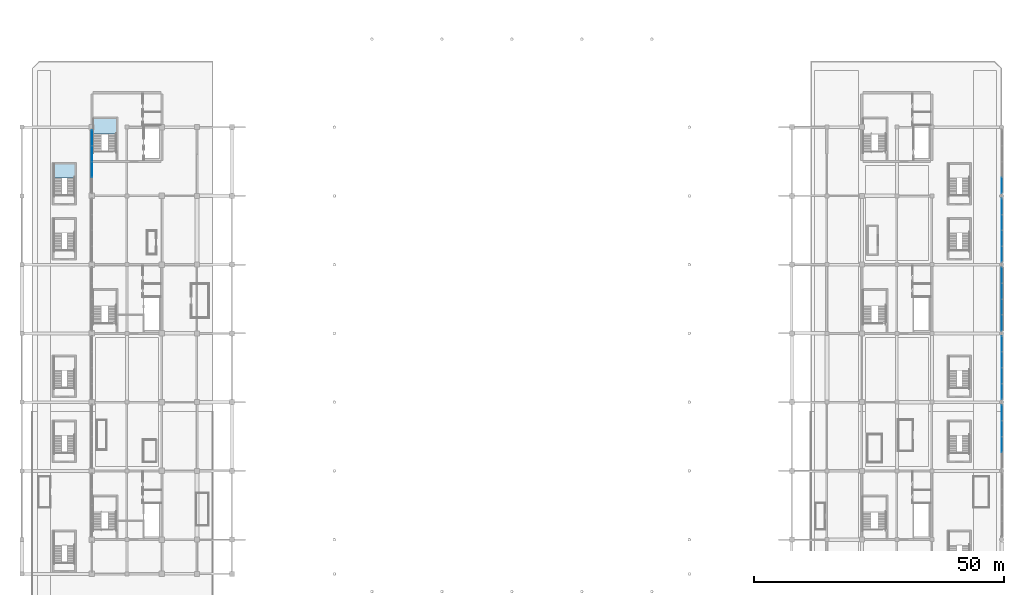
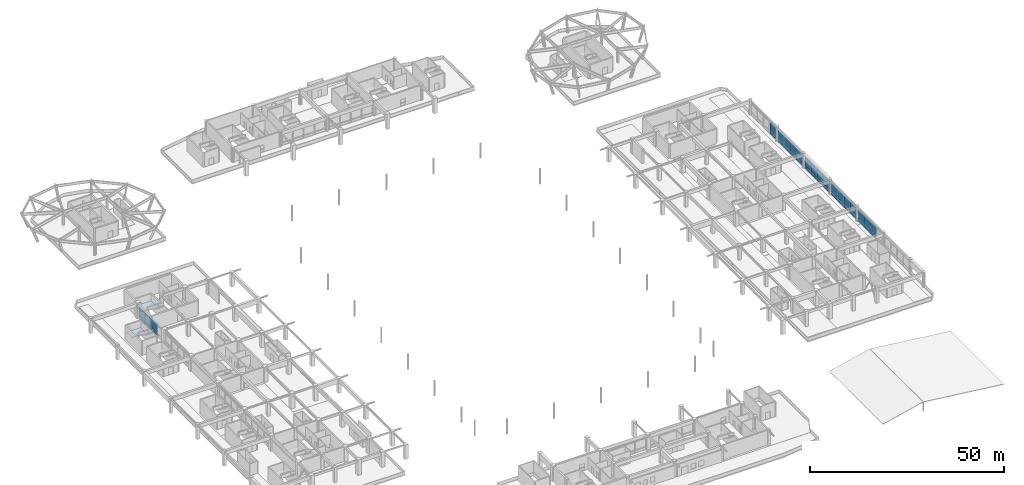
# One storey, part 51 of 91: 38 plates, 2 slabs, 8 elements without a shape of their own.
"""IFC4 building model written with IfcOpenShell, lengths in metres."""

from ifc_helpers import new_model, si_unit, direction, frame, origin, origin_2d, place, context, subcontext, project, spatial, polyline, rectangle, outline, extrude, material, layer, layer_set, type_object, element, aggregate, save


model = new_model("IFC4")

# Units and contexts
model_context = context("Model", 3, precision=1e-05, world=origin(), true_north=direction((0.0, 1.0)))
body_context = subcontext(model_context, "Body", "Model", "MODEL_VIEW")
ifc_project = project(units=[si_unit("LENGTHUNIT", "METRE"), si_unit("AREAUNIT", "SQUARE_METRE"), si_unit("VOLUMEUNIT", "CUBIC_METRE"), si_unit("PLANEANGLEUNIT", "RADIAN"), si_unit("MASSUNIT", "GRAM", prefix="KILO")], contexts=[model_context])

# Site, building, storey
site_placement = place(None, origin())
site = spatial("IfcSite", under=ifc_project, at=site_placement, CompositionType="ELEMENT")
building_placement = place(site_placement, origin())
building = spatial("IfcBuilding", under=site, at=building_placement, Name="Linyun Crest Stadium", CompositionType="ELEMENT")
storey_placement = place(building_placement, frame((0.0, 0.0, 11.39990234375)))
storey = spatial("IfcBuildingStorey", under=building, at=storey_placement, Name="L03", CompositionType="ELEMENT", Elevation=11.39990234375)

# Curtain wall, plates
ifc_material_1 = material(Name="Verdigris steel and low-E curtain wall assembly", Category="steel")
curtain_wall_type = type_object("IfcCurtainWallType", Name="MCW02", PredefinedType="NOTDEFINED", material=ifc_material_1)
curtain_wall_1_placement = place(storey_placement, origin())
curtain_wall_1 = element("IfcCurtainWall", 1, at=curtain_wall_1_placement, inside=storey, type_object=curtain_wall_type, Name="CWR-088", PredefinedType="NOTDEFINED")
ifc_material_2 = material(Name="Tempered solar-control low-E glass", Category="glass")
ifc_layer_1 = layer(ifc_material_2, 0.033935546875)
ifc_layer_set_1 = layer_set([ifc_layer_1], Name="Tempered solar-control low-E glass")
plate_type_1 = type_object("IfcPlateType", Name="GP03", PredefinedType="CURTAIN_PANEL", material=ifc_layer_set_1)
plate_1_placement = place(storey_placement, frame((98.0, -20.0810546875, 0.97509765625), z_axis=(0.0, 0.0, 1.0), x_axis=(0.0, 1.0, 0.0)))
plate_1 = element("IfcPlate", 2, at=plate_1_placement, type_object=plate_type_1, Name="CWR-088 panel 2.2", PredefinedType="CURTAIN_PANEL", context=body_context, shape_type="SweptSolid", body=[
    extrude(rectangle(XDim=3.112548828125, YDim=0.033935546875, at=origin_2d()), origin(), (0.0, 0.0, 1.0), 2.64990234375),
])
plate_2_placement = place(storey_placement, frame((98.0, -16.9189453125, 0.97509765625), z_axis=(0.0, 0.0, 1.0), x_axis=(0.0, 1.0, 0.0)))
plate_2 = element("IfcPlate", 3, at=plate_2_placement, type_object=plate_type_1, Name="CWR-088 panel 3.2", PredefinedType="CURTAIN_PANEL", context=body_context, shape_type="SweptSolid", body=[
    extrude(rectangle(XDim=3.112548828125, YDim=0.033935546875, at=origin_2d()), origin(), (0.0, 0.0, 1.0), 2.64990234375),
])
plate_3_placement = place(storey_placement, frame((98.0, -13.756103515625, 0.97509765625), z_axis=(0.0, 0.0, 1.0), x_axis=(0.0, 1.0, 0.0)))
plate_3 = element("IfcPlate", 4, at=plate_3_placement, type_object=plate_type_1, Name="CWR-088 panel 4.2", PredefinedType="CURTAIN_PANEL", context=body_context, shape_type="SweptSolid", body=[
    extrude(rectangle(XDim=3.112548828125, YDim=0.033935546875, at=origin_2d()), origin(), (0.0, 0.0, 1.0), 2.64990234375),
])

curtain_wall_2_placement = place(storey_placement, origin())
curtain_wall_2 = element("IfcCurtainWall", 5, at=curtain_wall_2_placement, inside=storey, type_object=curtain_wall_type, Name="CWR-097", PredefinedType="NOTDEFINED")
plate_4_placement = place(storey_placement, frame((98.0, -9.493896484375, 0.97509765625), z_axis=(0.0, 0.0, 1.0), x_axis=(0.0, 1.0, 0.0)))
plate_4 = element("IfcPlate", 6, at=plate_4_placement, type_object=plate_type_1, Name="CWR-097 panel 1.2", PredefinedType="CURTAIN_PANEL", context=body_context, shape_type="SweptSolid", body=[
    extrude(rectangle(XDim=3.112548828125, YDim=0.033935546875, at=origin_2d()), origin(), (0.0, 0.0, 1.0), 2.64990234375),
])
plate_5_placement = place(storey_placement, frame((98.0, -6.3310546875, 0.97509765625), z_axis=(0.0, 0.0, 1.0), x_axis=(0.0, 1.0, 0.0)))
plate_5 = element("IfcPlate", 7, at=plate_5_placement, type_object=plate_type_1, Name="CWR-097 panel 2.2", PredefinedType="CURTAIN_PANEL", context=body_context, shape_type="SweptSolid", body=[
    extrude(rectangle(XDim=3.112548828125, YDim=0.033935546875, at=origin_2d()), origin(), (0.0, 0.0, 1.0), 2.64990234375),
])
plate_6_placement = place(storey_placement, frame((98.0, -3.1689453125, 0.97509765625), z_axis=(0.0, 0.0, 1.0), x_axis=(0.0, 1.0, 0.0)))
plate_6 = element("IfcPlate", 8, at=plate_6_placement, type_object=plate_type_1, Name="CWR-097 panel 3.2", PredefinedType="CURTAIN_PANEL", context=body_context, shape_type="SweptSolid", body=[
    extrude(rectangle(XDim=3.112548828125, YDim=0.033935546875, at=origin_2d()), origin(), (0.0, 0.0, 1.0), 2.64990234375),
])
plate_7_placement = place(storey_placement, frame((98.0, -0.006103515625, 0.97509765625), z_axis=(0.0, 0.0, 1.0), x_axis=(0.0, 1.0, 0.0)))
plate_7 = element("IfcPlate", 9, at=plate_7_placement, type_object=plate_type_1, Name="CWR-097 panel 4.2", PredefinedType="CURTAIN_PANEL", context=body_context, shape_type="SweptSolid", body=[
    extrude(rectangle(XDim=3.112548828125, YDim=0.033935546875, at=origin_2d()), origin(), (0.0, 0.0, 1.0), 2.64990234375),
])

curtain_wall_3_placement = place(storey_placement, origin())
curtain_wall_3 = element("IfcCurtainWall", 10, at=curtain_wall_3_placement, inside=storey, type_object=curtain_wall_type, Name="CWR-106", PredefinedType="NOTDEFINED")
plate_8_placement = place(storey_placement, frame((98.0, 4.256103515625, 0.97509765625), z_axis=(0.0, 0.0, 1.0), x_axis=(0.0, 1.0, 0.0)))
plate_8 = element("IfcPlate", 11, at=plate_8_placement, type_object=plate_type_1, Name="CWR-106 panel 1.2", PredefinedType="CURTAIN_PANEL", context=body_context, shape_type="SweptSolid", body=[
    extrude(rectangle(XDim=3.112548828125, YDim=0.033935546875, at=origin_2d()), origin(), (0.0, 0.0, 1.0), 2.64990234375),
])
plate_9_placement = place(storey_placement, frame((98.0, 7.4189453125, 0.97509765625), z_axis=(0.0, 0.0, 1.0), x_axis=(0.0, 1.0, 0.0)))
plate_9 = element("IfcPlate", 12, at=plate_9_placement, type_object=plate_type_1, Name="CWR-106 panel 2.2", PredefinedType="CURTAIN_PANEL", context=body_context, shape_type="SweptSolid", body=[
    extrude(rectangle(XDim=3.112548828125, YDim=0.033935546875, at=origin_2d()), origin(), (0.0, 0.0, 1.0), 2.64990234375),
])
plate_10_placement = place(storey_placement, frame((98.0, 10.5810546875, 0.97509765625), z_axis=(0.0, 0.0, 1.0), x_axis=(0.0, 1.0, 0.0)))
plate_10 = element("IfcPlate", 13, at=plate_10_placement, type_object=plate_type_1, Name="CWR-106 panel 3.2", PredefinedType="CURTAIN_PANEL", context=body_context, shape_type="SweptSolid", body=[
    extrude(rectangle(XDim=3.112548828125, YDim=0.033935546875, at=origin_2d()), origin(), (0.0, 0.0, 1.0), 2.64990234375),
])
plate_11_placement = place(storey_placement, frame((98.0, 13.743896484375, 0.97509765625), z_axis=(0.0, 0.0, 1.0), x_axis=(0.0, 1.0, 0.0)))
plate_11 = element("IfcPlate", 14, at=plate_11_placement, type_object=plate_type_1, Name="CWR-106 panel 4.2", PredefinedType="CURTAIN_PANEL", context=body_context, shape_type="SweptSolid", body=[
    extrude(rectangle(XDim=3.112548828125, YDim=0.033935546875, at=origin_2d()), origin(), (0.0, 0.0, 1.0), 2.64990234375),
])

curtain_wall_4_placement = place(storey_placement, origin())
curtain_wall_4 = element("IfcCurtainWall", 15, at=curtain_wall_4_placement, inside=storey, type_object=curtain_wall_type, Name="CWR-115", PredefinedType="NOTDEFINED")
plate_12_placement = place(storey_placement, frame((98.0, 18.006103515625, 0.97509765625), z_axis=(0.0, 0.0, 1.0), x_axis=(0.0, 1.0, 0.0)))
plate_12 = element("IfcPlate", 16, at=plate_12_placement, type_object=plate_type_1, Name="CWR-115 panel 1.2", PredefinedType="CURTAIN_PANEL", context=body_context, shape_type="SweptSolid", body=[
    extrude(rectangle(XDim=3.112548828125, YDim=0.033935546875, at=origin_2d()), origin(), (0.0, 0.0, 1.0), 2.64990234375),
])
plate_13_placement = place(storey_placement, frame((98.0, 21.1689453125, 0.97509765625), z_axis=(0.0, 0.0, 1.0), x_axis=(0.0, 1.0, 0.0)))
plate_13 = element("IfcPlate", 17, at=plate_13_placement, type_object=plate_type_1, Name="CWR-115 panel 2.2", PredefinedType="CURTAIN_PANEL", context=body_context, shape_type="SweptSolid", body=[
    extrude(rectangle(XDim=3.112548828125, YDim=0.033935546875, at=origin_2d()), origin(), (0.0, 0.0, 1.0), 2.64990234375),
])
plate_14_placement = place(storey_placement, frame((98.0, 24.3310546875, 0.97509765625), z_axis=(0.0, 0.0, 1.0), x_axis=(0.0, 1.0, 0.0)))
plate_14 = element("IfcPlate", 18, at=plate_14_placement, type_object=plate_type_1, Name="CWR-115 panel 3.2", PredefinedType="CURTAIN_PANEL", context=body_context, shape_type="SweptSolid", body=[
    extrude(rectangle(XDim=3.112548828125, YDim=0.033935546875, at=origin_2d()), origin(), (0.0, 0.0, 1.0), 2.64990234375),
])
plate_15_placement = place(storey_placement, frame((98.0, 27.493896484375, 0.97509765625), z_axis=(0.0, 0.0, 1.0), x_axis=(0.0, 1.0, 0.0)))
plate_15 = element("IfcPlate", 19, at=plate_15_placement, type_object=plate_type_1, Name="CWR-115 panel 4.2", PredefinedType="CURTAIN_PANEL", context=body_context, shape_type="SweptSolid", body=[
    extrude(rectangle(XDim=3.112548828125, YDim=0.033935546875, at=origin_2d()), origin(), (0.0, 0.0, 1.0), 2.64990234375),
])

curtain_wall_5_placement = place(storey_placement, origin())
curtain_wall_5 = element("IfcCurtainWall", 20, at=curtain_wall_5_placement, inside=storey, type_object=curtain_wall_type, Name="CWR-119", PredefinedType="NOTDEFINED")
plate_16_placement = place(storey_placement, frame((-84.0, 34.9189453125, 0.97509765625), z_axis=(0.0, 0.0, 1.0), x_axis=(0.0, 1.0, 0.0)))
plate_16 = element("IfcPlate", 21, at=plate_16_placement, type_object=plate_type_1, Name="CWR-119 panel 2.2", PredefinedType="CURTAIN_PANEL", context=body_context, shape_type="SweptSolid", body=[
    extrude(rectangle(XDim=3.112548828125, YDim=0.033935546875, at=origin_2d()), origin(), (0.0, 0.0, 1.0), 2.64990234375),
])
plate_17_placement = place(storey_placement, frame((-84.0, 38.0810546875, 0.97509765625), z_axis=(0.0, 0.0, 1.0), x_axis=(0.0, 1.0, 0.0)))
plate_17 = element("IfcPlate", 22, at=plate_17_placement, type_object=plate_type_1, Name="CWR-119 panel 3.2", PredefinedType="CURTAIN_PANEL", context=body_context, shape_type="SweptSolid", body=[
    extrude(rectangle(XDim=3.112548828125, YDim=0.033935546875, at=origin_2d()), origin(), (0.0, 0.0, 1.0), 2.64990234375),
])
plate_18_placement = place(storey_placement, frame((-84.0, 41.243896484375, 0.97509765625), z_axis=(0.0, 0.0, 1.0), x_axis=(0.0, 1.0, 0.0)))
plate_18 = element("IfcPlate", 23, at=plate_18_placement, type_object=plate_type_1, Name="CWR-119 panel 4.2", PredefinedType="CURTAIN_PANEL", context=body_context, shape_type="SweptSolid", body=[
    extrude(rectangle(XDim=3.112548828125, YDim=0.033935546875, at=origin_2d()), origin(), (0.0, 0.0, 1.0), 2.64990234375),
])

# Curtain wall, plate
curtain_wall_6_placement = place(storey_placement, origin())
curtain_wall_6 = element("IfcCurtainWall", 24, at=curtain_wall_6_placement, inside=storey, type_object=curtain_wall_type, Name="CWR-124", PredefinedType="NOTDEFINED")
plate_19_placement = place(storey_placement, frame((98.0, 31.756103515625, 0.97509765625), z_axis=(0.0, 0.0, 1.0), x_axis=(0.0, 1.0, 0.0)))
plate_19 = element("IfcPlate", 25, at=plate_19_placement, type_object=plate_type_1, Name="CWR-124 panel 1.2", PredefinedType="CURTAIN_PANEL", context=body_context, shape_type="SweptSolid", body=[
    extrude(rectangle(XDim=3.112548828125, YDim=0.033935546875, at=origin_2d()), origin(), (0.0, 0.0, 1.0), 2.64990234375),
])

# Stair, slab
ifc_material_3 = material(Name="Concrete C40", Category="concrete")
stair_type = type_object("IfcStairType", Name="STA03", PredefinedType="HALF_TURN_STAIR", material=ifc_material_3)
stair_1_placement = place(storey_placement, origin())
stair_1 = element("IfcStair", 26, at=stair_1_placement, inside=storey, type_object=stair_type, Name="Evacuation stair STR-03-L03", PredefinedType="HALF_TURN_STAIR")
ifc_material_4 = material(Name="Concrete C40", Category="concrete")
ifc_layer_2 = layer(ifc_material_4, 0.179931640625)
ifc_layer_set_2 = layer_set([ifc_layer_2], Name="Concrete C40")
slab_type = type_object("IfcSlabType", Name="LS01", PredefinedType="LANDING", material=ifc_layer_set_2)
slab_1_placement = place(storey_placement, frame((0.0, 0.0, 2.22021484375)))
slab_1 = element("IfcSlab", 27, at=slab_1_placement, type_object=slab_type, Name="STR-03-L03 half-landing", PredefinedType="LANDING", context=body_context, shape_type="SweptSolid", body=[
    extrude(outline(polyline([(-83.77490234375, 41.989990234375), (-79.10009765625, 41.989990234375), (-79.10009765625, 45.10009765625), (-83.77490234375, 45.10009765625), (-83.77490234375, 41.989990234375)])), origin(), (0.0, 0.0, 1.0), 0.179931640625),
])
aggregate(stair_1, [slab_1])

stair_2_placement = place(storey_placement, origin())
stair_2 = element("IfcStair", 28, at=stair_2_placement, inside=storey, type_object=stair_type, Name="Vomitory evacuation stair STR-17-L03", PredefinedType="HALF_TURN_STAIR")
slab_2_placement = place(storey_placement, frame((0.0, 0.0, 2.22021484375)))
slab_2 = element("IfcSlab", 29, at=slab_2_placement, type_object=slab_type, Name="STR-17-L03 half-landing", PredefinedType="LANDING", context=body_context, shape_type="SweptSolid", body=[
    extrude(outline(polyline([(-91.60009765625, 33.219970703125), (-87.39990234375, 33.219970703125), (-87.39990234375, 36.0), (-91.60009765625, 36.0), (-91.60009765625, 33.219970703125)])), origin(), (0.0, 0.0, 1.0), 0.179931640625),
])
aggregate(stair_2, [slab_2])

# Plate
ifc_material_5 = material(Name="Warm ochre glazed ceramic faience spandrel")
ifc_layer_3 = layer(ifc_material_5, 0.048095703125)
ifc_layer_set_3 = layer_set([ifc_layer_3], Name="Warm ochre glazed ceramic faience spandrel")
plate_type_2 = type_object("IfcPlateType", Name="SP02", PredefinedType="SHEET", material=ifc_layer_set_3)
plate_20_placement = place(storey_placement, frame((98.0, -20.0810546875, 0.025146484375), z_axis=(0.0, 0.0, 1.0), x_axis=(0.0, 1.0, 0.0)))
plate_20 = element("IfcPlate", 30, at=plate_20_placement, type_object=plate_type_2, Name="CWR-088 panel 2.1", PredefinedType="SHEET", context=body_context, shape_type="SweptSolid", body=[
    extrude(rectangle(XDim=3.112548828125, YDim=0.048095703125, at=origin_2d()), origin(), (0.0, 0.0, 1.0), 0.89990234375),
])

plate_21_placement = place(storey_placement, frame((98.0, -16.9189453125, 0.025146484375), z_axis=(0.0, 0.0, 1.0), x_axis=(0.0, 1.0, 0.0)))
plate_21 = element("IfcPlate", 31, at=plate_21_placement, type_object=plate_type_2, Name="CWR-088 panel 3.1", PredefinedType="SHEET", context=body_context, shape_type="SweptSolid", body=[
    extrude(rectangle(XDim=3.112548828125, YDim=0.048095703125, at=origin_2d()), origin(), (0.0, 0.0, 1.0), 0.89990234375),
])

plate_22_placement = place(storey_placement, frame((98.0, -13.756103515625, 0.025146484375), z_axis=(0.0, 0.0, 1.0), x_axis=(0.0, 1.0, 0.0)))
plate_22 = element("IfcPlate", 32, at=plate_22_placement, type_object=plate_type_2, Name="CWR-088 panel 4.1", PredefinedType="SHEET", context=body_context, shape_type="SweptSolid", body=[
    extrude(rectangle(XDim=3.112548828125, YDim=0.048095703125, at=origin_2d()), origin(), (0.0, 0.0, 1.0), 0.89990234375),
])

aggregate(curtain_wall_1, [plate_20, plate_1, plate_21, plate_2, plate_22, plate_3])

plate_23_placement = place(storey_placement, frame((98.0, -9.493896484375, 0.025146484375), z_axis=(0.0, 0.0, 1.0), x_axis=(0.0, 1.0, 0.0)))
plate_23 = element("IfcPlate", 33, at=plate_23_placement, type_object=plate_type_2, Name="CWR-097 panel 1.1", PredefinedType="SHEET", context=body_context, shape_type="SweptSolid", body=[
    extrude(rectangle(XDim=3.112548828125, YDim=0.048095703125, at=origin_2d()), origin(), (0.0, 0.0, 1.0), 0.89990234375),
])

plate_24_placement = place(storey_placement, frame((98.0, -6.3310546875, 0.025146484375), z_axis=(0.0, 0.0, 1.0), x_axis=(0.0, 1.0, 0.0)))
plate_24 = element("IfcPlate", 34, at=plate_24_placement, type_object=plate_type_2, Name="CWR-097 panel 2.1", PredefinedType="SHEET", context=body_context, shape_type="SweptSolid", body=[
    extrude(rectangle(XDim=3.112548828125, YDim=0.048095703125, at=origin_2d()), origin(), (0.0, 0.0, 1.0), 0.89990234375),
])

plate_25_placement = place(storey_placement, frame((98.0, -3.1689453125, 0.025146484375), z_axis=(0.0, 0.0, 1.0), x_axis=(0.0, 1.0, 0.0)))
plate_25 = element("IfcPlate", 35, at=plate_25_placement, type_object=plate_type_2, Name="CWR-097 panel 3.1", PredefinedType="SHEET", context=body_context, shape_type="SweptSolid", body=[
    extrude(rectangle(XDim=3.112548828125, YDim=0.048095703125, at=origin_2d()), origin(), (0.0, 0.0, 1.0), 0.89990234375),
])

plate_26_placement = place(storey_placement, frame((98.0, -0.006103515625, 0.025146484375), z_axis=(0.0, 0.0, 1.0), x_axis=(0.0, 1.0, 0.0)))
plate_26 = element("IfcPlate", 36, at=plate_26_placement, type_object=plate_type_2, Name="CWR-097 panel 4.1", PredefinedType="SHEET", context=body_context, shape_type="SweptSolid", body=[
    extrude(rectangle(XDim=3.112548828125, YDim=0.048095703125, at=origin_2d()), origin(), (0.0, 0.0, 1.0), 0.89990234375),
])

aggregate(curtain_wall_2, [plate_23, plate_4, plate_24, plate_5, plate_25, plate_6, plate_26, plate_7])

plate_27_placement = place(storey_placement, frame((98.0, 4.256103515625, 0.025146484375), z_axis=(0.0, 0.0, 1.0), x_axis=(0.0, 1.0, 0.0)))
plate_27 = element("IfcPlate", 37, at=plate_27_placement, type_object=plate_type_2, Name="CWR-106 panel 1.1", PredefinedType="SHEET", context=body_context, shape_type="SweptSolid", body=[
    extrude(rectangle(XDim=3.112548828125, YDim=0.048095703125, at=origin_2d()), origin(), (0.0, 0.0, 1.0), 0.89990234375),
])

plate_28_placement = place(storey_placement, frame((98.0, 7.4189453125, 0.025146484375), z_axis=(0.0, 0.0, 1.0), x_axis=(0.0, 1.0, 0.0)))
plate_28 = element("IfcPlate", 38, at=plate_28_placement, type_object=plate_type_2, Name="CWR-106 panel 2.1", PredefinedType="SHEET", context=body_context, shape_type="SweptSolid", body=[
    extrude(rectangle(XDim=3.112548828125, YDim=0.048095703125, at=origin_2d()), origin(), (0.0, 0.0, 1.0), 0.89990234375),
])

plate_29_placement = place(storey_placement, frame((98.0, 10.5810546875, 0.025146484375), z_axis=(0.0, 0.0, 1.0), x_axis=(0.0, 1.0, 0.0)))
plate_29 = element("IfcPlate", 39, at=plate_29_placement, type_object=plate_type_2, Name="CWR-106 panel 3.1", PredefinedType="SHEET", context=body_context, shape_type="SweptSolid", body=[
    extrude(rectangle(XDim=3.112548828125, YDim=0.048095703125, at=origin_2d()), origin(), (0.0, 0.0, 1.0), 0.89990234375),
])

plate_30_placement = place(storey_placement, frame((98.0, 13.743896484375, 0.025146484375), z_axis=(0.0, 0.0, 1.0), x_axis=(0.0, 1.0, 0.0)))
plate_30 = element("IfcPlate", 40, at=plate_30_placement, type_object=plate_type_2, Name="CWR-106 panel 4.1", PredefinedType="SHEET", context=body_context, shape_type="SweptSolid", body=[
    extrude(rectangle(XDim=3.112548828125, YDim=0.048095703125, at=origin_2d()), origin(), (0.0, 0.0, 1.0), 0.89990234375),
])

aggregate(curtain_wall_3, [plate_27, plate_8, plate_28, plate_9, plate_29, plate_10, plate_30, plate_11])

plate_31_placement = place(storey_placement, frame((98.0, 18.006103515625, 0.025146484375), z_axis=(0.0, 0.0, 1.0), x_axis=(0.0, 1.0, 0.0)))
plate_31 = element("IfcPlate", 41, at=plate_31_placement, type_object=plate_type_2, Name="CWR-115 panel 1.1", PredefinedType="SHEET", context=body_context, shape_type="SweptSolid", body=[
    extrude(rectangle(XDim=3.112548828125, YDim=0.048095703125, at=origin_2d()), origin(), (0.0, 0.0, 1.0), 0.89990234375),
])

plate_32_placement = place(storey_placement, frame((98.0, 21.1689453125, 0.025146484375), z_axis=(0.0, 0.0, 1.0), x_axis=(0.0, 1.0, 0.0)))
plate_32 = element("IfcPlate", 42, at=plate_32_placement, type_object=plate_type_2, Name="CWR-115 panel 2.1", PredefinedType="SHEET", context=body_context, shape_type="SweptSolid", body=[
    extrude(rectangle(XDim=3.112548828125, YDim=0.048095703125, at=origin_2d()), origin(), (0.0, 0.0, 1.0), 0.89990234375),
])

plate_33_placement = place(storey_placement, frame((98.0, 24.3310546875, 0.025146484375), z_axis=(0.0, 0.0, 1.0), x_axis=(0.0, 1.0, 0.0)))
plate_33 = element("IfcPlate", 43, at=plate_33_placement, type_object=plate_type_2, Name="CWR-115 panel 3.1", PredefinedType="SHEET", context=body_context, shape_type="SweptSolid", body=[
    extrude(rectangle(XDim=3.112548828125, YDim=0.048095703125, at=origin_2d()), origin(), (0.0, 0.0, 1.0), 0.89990234375),
])

plate_34_placement = place(storey_placement, frame((98.0, 27.493896484375, 0.025146484375), z_axis=(0.0, 0.0, 1.0), x_axis=(0.0, 1.0, 0.0)))
plate_34 = element("IfcPlate", 44, at=plate_34_placement, type_object=plate_type_2, Name="CWR-115 panel 4.1", PredefinedType="SHEET", context=body_context, shape_type="SweptSolid", body=[
    extrude(rectangle(XDim=3.112548828125, YDim=0.048095703125, at=origin_2d()), origin(), (0.0, 0.0, 1.0), 0.89990234375),
])

aggregate(curtain_wall_4, [plate_31, plate_12, plate_32, plate_13, plate_33, plate_14, plate_34, plate_15])

plate_35_placement = place(storey_placement, frame((-84.0, 34.9189453125, 0.025146484375), z_axis=(0.0, 0.0, 1.0), x_axis=(0.0, 1.0, 0.0)))
plate_35 = element("IfcPlate", 45, at=plate_35_placement, type_object=plate_type_2, Name="CWR-119 panel 2.1", PredefinedType="SHEET", context=body_context, shape_type="SweptSolid", body=[
    extrude(rectangle(XDim=3.112548828125, YDim=0.048095703125, at=origin_2d()), origin(), (0.0, 0.0, 1.0), 0.89990234375),
])

plate_36_placement = place(storey_placement, frame((-84.0, 38.0810546875, 0.025146484375), z_axis=(0.0, 0.0, 1.0), x_axis=(0.0, 1.0, 0.0)))
plate_36 = element("IfcPlate", 46, at=plate_36_placement, type_object=plate_type_2, Name="CWR-119 panel 3.1", PredefinedType="SHEET", context=body_context, shape_type="SweptSolid", body=[
    extrude(rectangle(XDim=3.112548828125, YDim=0.048095703125, at=origin_2d()), origin(), (0.0, 0.0, 1.0), 0.89990234375),
])

plate_37_placement = place(storey_placement, frame((-84.0, 41.243896484375, 0.025146484375), z_axis=(0.0, 0.0, 1.0), x_axis=(0.0, 1.0, 0.0)))
plate_37 = element("IfcPlate", 47, at=plate_37_placement, type_object=plate_type_2, Name="CWR-119 panel 4.1", PredefinedType="SHEET", context=body_context, shape_type="SweptSolid", body=[
    extrude(rectangle(XDim=3.112548828125, YDim=0.048095703125, at=origin_2d()), origin(), (0.0, 0.0, 1.0), 0.89990234375),
])

aggregate(curtain_wall_5, [plate_35, plate_16, plate_36, plate_17, plate_37, plate_18])

plate_38_placement = place(storey_placement, frame((98.0, 31.756103515625, 0.025146484375), z_axis=(0.0, 0.0, 1.0), x_axis=(0.0, 1.0, 0.0)))
plate_38 = element("IfcPlate", 48, at=plate_38_placement, type_object=plate_type_2, Name="CWR-124 panel 1.1", PredefinedType="SHEET", context=body_context, shape_type="SweptSolid", body=[
    extrude(rectangle(XDim=3.112548828125, YDim=0.048095703125, at=origin_2d()), origin(), (0.0, 0.0, 1.0), 0.89990234375),
])

aggregate(curtain_wall_6, [plate_38, plate_19])

save(model, "model.ifc")
